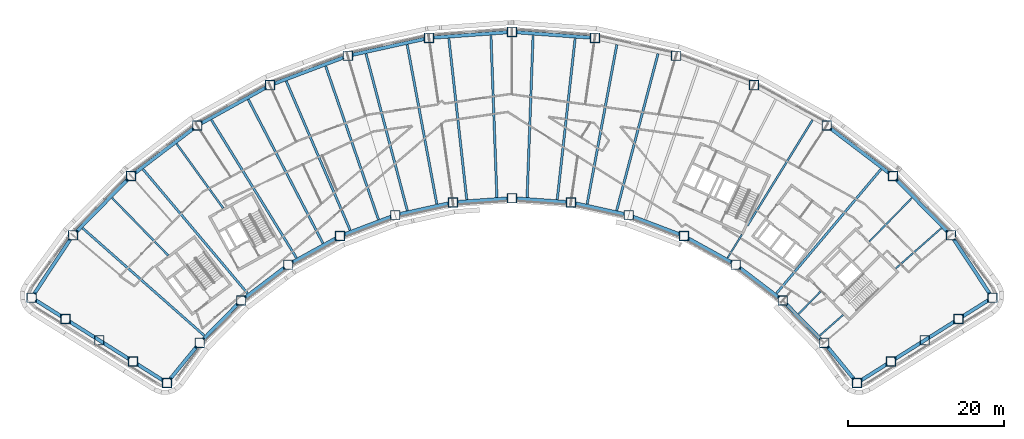
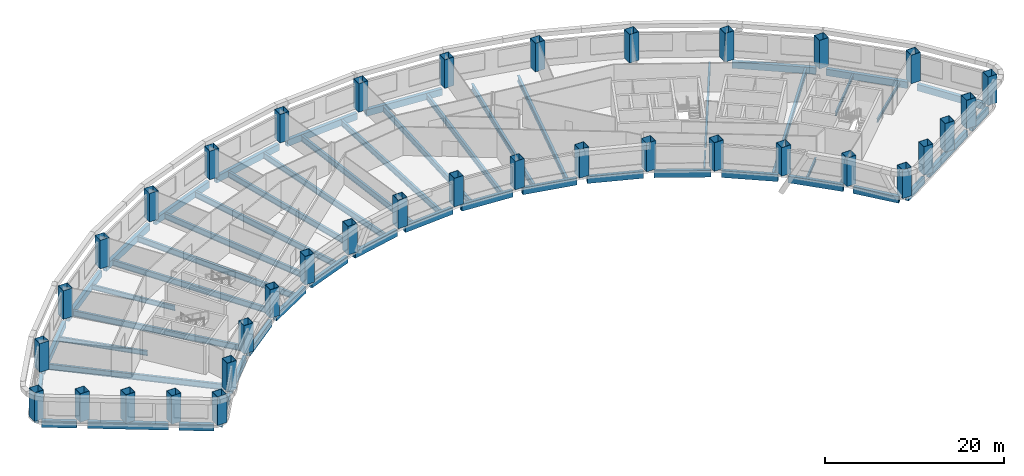
# One storey, part 1 of 10: 54 beams, 36 columns.
"""IFC4 building model written with IfcOpenShell, lengths in metres."""

from ifc_helpers import new_model, si_unit, direction, frame, origin, origin_2d, place, context, subcontext, project, spatial, hollow_rectangle, i_section, extrude, material, material_profile, profile_set, type_object, element, save


model = new_model("IFC4")

# Units and contexts
model_context = context("Model", 3, precision=1e-05, world=origin(), true_north=direction((0.0, 1.0)))
body_context = subcontext(model_context, "Body", "Model", "MODEL_VIEW")
ifc_project = project(units=[si_unit("LENGTHUNIT", "METRE"), si_unit("AREAUNIT", "SQUARE_METRE"), si_unit("VOLUMEUNIT", "CUBIC_METRE"), si_unit("PLANEANGLEUNIT", "RADIAN"), si_unit("MASSUNIT", "GRAM", prefix="KILO")], contexts=[model_context])

# Site, building, storey
site_placement = place(None, origin())
site = spatial("IfcSite", under=ifc_project, at=site_placement, CompositionType="ELEMENT")
building_placement = place(site_placement, origin())
building = spatial("IfcBuilding", under=site, at=building_placement, Name="Tuul Gate Civic Tower", CompositionType="ELEMENT")
storey_placement = place(building_placement, frame((0.0, 0.0, 86.39990234375)))
storey = spatial("IfcBuildingStorey", under=building, at=storey_placement, Name="Level 19", CompositionType="ELEMENT", Elevation=86.39990234375)

# Columns
ifc_material_1 = material(Name="Steel S355", Category="steel")
ifc_material_profile_1 = material_profile(ifc_material_1, hollow_rectangle(XDim=1.199951171875, YDim=1.199951171875, WallThickness=0.0400390625, at=origin_2d()), Name="BOX1200x1200x40")
ifc_profile_set_1 = profile_set([ifc_material_profile_1], Name="Steel S355")
column_type = type_object("IfcColumnType", Name="STR-COLUMN-BOX1200x1200x40", PredefinedType="COLUMN", material=ifc_profile_set_1)
for number, where, z_axis, x_axis, name in (
    (1, (66.47900390625, -15.4208984375, 0.0), (0.0, 0.0, 1.0), (1.0, 0.0, 0.0), "Column"),
    (2, (61.179931640625, -7.408935546875, 0.0), (0.0, 0.0, 1.0), (1.0, 0.0, 0.0), "Column"),
    (3, (53.7060546875, 0.216064453125, 0.0), (0.0, 0.0, 1.0), (1.0, 0.0, 0.0), "Column"),
    (4, (45.2109375, 6.68408203125, 0.0), (0.0, 0.0, 1.0), (1.0, 0.0, 0.0), "Column"),
    (5, (35.8720703125, 11.861083984375, 0.0), (0.0, 0.0, 1.0), (1.0, 0.0, 0.0), "Column"),
    (6, (25.885009765625, 15.636962890625, 0.0), (0.0, 0.0, 1.0), (1.0, 0.0, 0.0), "Column"),
    (7, (15.4580078125, 17.93505859375, 0.0), (0.0, 0.0, 1.0), (1.0, 0.0, 0.0), "Column"),
    (8, (4.80810546875, 18.70703125, 0.0), (0.0, 0.0, 1.0), (1.0, 0.0, 0.0), "Column"),
    (9, (-5.841064453125, 17.93505859375, 0.0), (0.0, 0.0, 1.0), (1.0, 0.0, 0.0), "Column"),
    (10, (-16.26806640625, 15.636962890625, 0.0), (0.0, 0.0, 1.0), (1.0, 0.0, 0.0), "Column"),
    (11, (-26.2548828125, 11.861083984375, 0.0), (0.0, 0.0, 1.0), (1.0, 0.0, 0.0), "Column"),
    (12, (-35.593994140625, 6.68408203125, 0.0), (0.0, 0.0, 1.0), (1.0, 0.0, 0.0), "Column"),
    (13, (-44.089111328125, 0.216064453125, 0.0), (0.0, 0.0, 1.0), (1.0, 0.0, 0.0), "Column"),
    (14, (-51.56396484375, -7.408935546875, 0.0), (0.0, 0.0, 1.0), (1.0, 0.0, 0.0), "Column"),
    (15, (-56.863037109375, -15.4208984375, 0.0), (0.0, 0.0, 1.0), (1.0, 0.0, 0.0), "Column"),
    (16, (-52.52001953125, -18.156005859375, 0.0), (0.0, 0.0, 1.0), (1.0, 0.0, 0.0), "Column"),
    (17, (-48.177978515625, -20.89111328125, 0.0), (0.0, 0.0, 1.0), (1.0, 0.0, 0.0), "Column"),
    (18, (-43.8349609375, -23.625, 0.0), (0.0, 0.0, 1.0), (1.0, 0.0, 0.0), "Column"),
    (19, (-39.492919921875, -26.360107421875, 0.0), (0.0, 0.0, 1.0), (1.0, 0.0, 0.0), "Column"),
    (20, (-35.27294921875, -21.218017578125, 0.0), (0.0, 0.0, 1.0), (1.0, 0.0, 0.0), "Column"),
    (21, (-29.9580078125, -15.7958984375, 0.0), (0.0, 0.0, 1.0), (1.0, 0.0, 0.0), "Column"),
    (22, (-23.91796875, -11.197021484375, 0.0), (0.0, 0.0, 1.0), (1.0, 0.0, 0.0), "Column"),
    (23, (-17.278076171875, -7.51708984375, 0.0), (0.0, 0.0, 1.0), (1.0, 0.0, 0.0), "Column"),
    (24, (-10.177001953125, -4.8310546875, 0.0), (0.0, 0.0, 1.0), (1.0, 0.0, 0.0), "Column"),
    (25, (-2.763916015625, -3.197998046875, 0.0), (0.0, 0.0, 1.0), (1.0, 0.0, 0.0), "Column"),
    (26, (4.80810546875, -2.64892578125, 0.0), (0.0, 0.0, 1.0), (1.0, 0.0, 0.0), "Column"),
    (27, (12.3798828125, -3.197998046875, 0.0), (0.0, 0.0, 1.0), (1.0, 0.0, 0.0), "Column"),
    (28, (19.7939453125, -4.8310546875, 0.0), (0.0, 0.0, 1.0), (1.0, 0.0, 0.0), "Column"),
    (29, (26.89501953125, -7.51708984375, 0.0), (0.0, 0.0, 1.0), (1.0, 0.0, 0.0), "Column"),
    (30, (33.534912109375, -11.197021484375, 0.0), (0.0, 0.0, 1.0), (1.0, 0.0, 0.0), "Column"),
    (31, (39.574951171875, -15.7958984375, 0.0), (0.0, 0.0, 1.0), (1.0, 0.0, 0.0), "Column"),
    (32, (44.888916015625, -21.218017578125, 0.0), (0.0, 0.0, 1.0), (1.0, 0.0, 0.0), "Column"),
    (33, (49.10888671875, -26.360107421875, 0.0), (0.0, 0.0, 1.0), (1.0, 0.0, 0.0), "Column"),
    (34, (53.451904296875, -23.625, 0.0), (0.0, 0.0, 1.0), (1.0, 0.0, 0.0), "Column"),
    (35, (57.7939453125, -20.89111328125, 0.0), (0.0, 0.0, 1.0), (1.0, 0.0, 0.0), "Column"),
    (36, (62.136962890625, -18.156005859375, 0.0), (0.0, 0.0, 1.0), (1.0, 0.0, 0.0), "Column"),
):
    element("IfcColumn", number, at=place(storey_placement, frame(where, z_axis=z_axis, x_axis=x_axis)), inside=storey, type_object=column_type, Name=name, PredefinedType="COLUMN", context=body_context, shape_type="SweptSolid", body=[
        extrude(hollow_rectangle(XDim=1.199951171875, YDim=1.199951171875, WallThickness=0.0400390625, at=origin_2d()), origin(), (0.0, 0.0, 1.0), 3.900146484375),
    ])

# Beams
ifc_material_2 = material(Name="Steel S355", Category="steel")
ifc_material_profile_2 = material_profile(ifc_material_2, i_section(OverallWidth=0.199951171875, OverallDepth=0.5, WebThickness=0.010009765625, FlangeThickness=0.01611328125, at=origin_2d()), Name="PG500x200x10x16")
ifc_profile_set_2 = profile_set([ifc_material_profile_2], Name="Steel S355")
beam_type_1 = type_object("IfcBeamType", Name="STR-FLOOR BEAM-PG500x200x10x16", PredefinedType="BEAM", material=ifc_profile_set_2)
beam_1_placement = place(storey_placement, frame((44.323486328125, -20.28369140625, -0.5498046875), z_axis=(0.749461130255, 0.662048347356, 0.0), x_axis=(-0.662048347356, 0.749461130255, 0.0)))
element("IfcBeam", 37, at=beam_1_placement, inside=storey, type_object=beam_type_1, Name="Floor beam", PredefinedType="BEAM", context=body_context, shape_type="SweptSolid", body=[
    extrude(i_section(OverallWidth=0.199951171875, OverallDepth=0.5, WebThickness=0.010009765625, FlangeThickness=0.01611328125, at=origin_2d()), origin(), (0.0, 0.0, 1.0), 4.0107421875),
])
beam_2_placement = place(storey_placement, frame((54.083251953125, -11.661865234375, -0.5498046875), z_axis=(0.749435188798, 0.662077712803, 0.0), x_axis=(-0.662077712803, 0.749435188798, 0.0)))
element("IfcBeam", 38, at=beam_2_placement, inside=storey, type_object=beam_type_1, Name="Floor beam", PredefinedType="BEAM", context=body_context, shape_type="SweptSolid", body=[
    extrude(i_section(OverallWidth=0.199951171875, OverallDepth=0.5, WebThickness=0.010009765625, FlangeThickness=0.01611328125, at=origin_2d()), origin(), (0.0, 0.0, 1.0), 7.8056640625),
])
beam_3_placement = place(storey_placement, frame((41.606201171875, -17.511474609375, -0.5498046875), z_axis=(0.698677872804, 0.71543639134, 0.0), x_axis=(-0.71543639134, 0.698677872804, 0.0)))
element("IfcBeam", 39, at=beam_3_placement, inside=storey, type_object=beam_type_1, Name="Floor beam", PredefinedType="BEAM", context=body_context, shape_type="SweptSolid", body=[
    extrude(i_section(OverallWidth=0.199951171875, OverallDepth=0.5, WebThickness=0.010009765625, FlangeThickness=0.01611328125, at=origin_2d()), origin(), (0.0, 0.0, 1.0), 4.00634765625),
])
beam_4_placement = place(storey_placement, frame((50.69482421875, -8.205078125, -0.5498046875), z_axis=(0.698665360958, 0.715448609893, 0.0), x_axis=(-0.715448609893, 0.698665360958, 0.0)))
element("IfcBeam", 40, at=beam_4_placement, inside=storey, type_object=beam_type_1, Name="Floor beam", PredefinedType="BEAM", context=body_context, shape_type="SweptSolid", body=[
    extrude(i_section(OverallWidth=0.199951171875, OverallDepth=0.5, WebThickness=0.010009765625, FlangeThickness=0.01611328125, at=origin_2d()), origin(), (0.0, 0.0, 1.0), 7.797119140625),
])
beam_5_placement = place(storey_placement, frame((32.47412109375, -10.3232421875, -0.5498046875), z_axis=(0.524881180779, 0.851175508379, 0.0), x_axis=(-0.851175508379, 0.524881180779, 0.0)))
element("IfcBeam", 41, at=beam_5_placement, inside=storey, type_object=beam_type_1, Name="Floor beam", PredefinedType="BEAM", context=body_context, shape_type="SweptSolid", body=[
    extrude(i_section(OverallWidth=0.199951171875, OverallDepth=0.5, WebThickness=0.010009765625, FlangeThickness=0.01611328125, at=origin_2d()), origin(), (0.0, 0.0, 1.0), 3.527099609375),
])
ifc_material_3 = material(Name="Steel S355", Category="steel")
ifc_material_profile_3 = material_profile(ifc_material_3, i_section(OverallWidth=0.25, OverallDepth=0.64990234375, WebThickness=0.011962890625, FlangeThickness=0.02001953125, at=origin_2d()), Name="PG650x250x12x20")
ifc_profile_set_3 = profile_set([ifc_material_profile_3], Name="Steel S355")
beam_type_2 = type_object("IfcBeamType", Name="STR-FLOOR BEAM-PG650x250x12x20", PredefinedType="BEAM", material=ifc_profile_set_3)
beam_6_placement = place(storey_placement, frame((35.022216796875, -6.19091796875, -0.625), z_axis=(0.52485048584, 0.851194435786, 0.0), x_axis=(-0.851194435786, 0.52485048584, 0.0)))
element("IfcBeam", 42, at=beam_6_placement, inside=storey, type_object=beam_type_2, Name="Floor beam", PredefinedType="BEAM", context=body_context, shape_type="SweptSolid", body=[
    extrude(i_section(OverallWidth=0.25, OverallDepth=0.64990234375, WebThickness=0.011962890625, FlangeThickness=0.02001953125, at=origin_2d()), origin(), (0.0, 0.0, 1.0), 15.967529296875),
])
beam_7_placement = place(storey_placement, frame((-32.2705078125, -3.930419921875, -0.625), z_axis=(-0.586085724812, 0.81024905009, 0.0), x_axis=(-0.81024905009, -0.586085724812, 0.0)))
element("IfcBeam", 43, at=beam_7_placement, inside=storey, type_object=beam_type_2, Name="Floor beam", PredefinedType="BEAM", context=body_context, shape_type="SweptSolid", body=[
    extrude(i_section(OverallWidth=0.25, OverallDepth=0.64990234375, WebThickness=0.011962890625, FlangeThickness=0.02001953125, at=origin_2d()), origin(), (0.0, 0.0, 1.0), 10.211669921875),
])
beam_8_placement = place(storey_placement, frame((-39.3271484375, -9.998291015625, -0.625), z_axis=(-0.698680863585, 0.715433470604, 0.0), x_axis=(-0.715433470604, -0.698680863585, 0.0)))
element("IfcBeam", 44, at=beam_8_placement, inside=storey, type_object=beam_type_2, Name="Floor beam", PredefinedType="BEAM", context=body_context, shape_type="SweptSolid", body=[
    extrude(i_section(OverallWidth=0.25, OverallDepth=0.64990234375, WebThickness=0.011962890625, FlangeThickness=0.02001953125, at=origin_2d()), origin(), (0.0, 0.0, 1.0), 10.30322265625),
])
ifc_material_4 = material(Name="Steel S355", Category="steel")
ifc_material_profile_4 = material_profile(ifc_material_4, i_section(OverallWidth=0.300048828125, OverallDepth=0.800048828125, WebThickness=0.013916015625, FlangeThickness=0.02490234375, at=origin_2d()), Name="PG800x300x14x25")
ifc_profile_set_4 = profile_set([ifc_material_profile_4], Name="Steel S355")
beam_type_3 = type_object("IfcBeamType", Name="STR-FLOOR BEAM-PG800x300x14x25", PredefinedType="BEAM", material=ifc_profile_set_4)
beam_9_placement = place(storey_placement, frame((38.76611328125, -14.86572265625, -0.699951171875), z_axis=(0.644123110179, 0.764921838447, 0.0), x_axis=(-0.764921838447, 0.644123110179, 0.0)))
element("IfcBeam", 45, at=beam_9_placement, inside=storey, type_object=beam_type_3, Name="Floor beam", PredefinedType="BEAM", context=body_context, shape_type="SweptSolid", body=[
    extrude(i_section(OverallWidth=0.300048828125, OverallDepth=0.800048828125, WebThickness=0.013916015625, FlangeThickness=0.02490234375, at=origin_2d()), origin(), (0.0, 0.0, 1.0), 20.824951171875),
])
beam_10_placement = place(storey_placement, frame((18.246826171875, -4.234130859375, -0.699951171875), z_axis=(0.255002430405, 0.966940412067, 0.0), x_axis=(-0.966940412067, 0.255002430405, 0.0)))
element("IfcBeam", 46, at=beam_10_placement, inside=storey, type_object=beam_type_3, Name="Floor beam", PredefinedType="BEAM", context=body_context, shape_type="SweptSolid", body=[
    extrude(i_section(OverallWidth=0.300048828125, OverallDepth=0.800048828125, WebThickness=0.013916015625, FlangeThickness=0.02490234375, at=origin_2d()), origin(), (0.0, 0.0, 1.0), 20.81689453125),
])
beam_11_placement = place(storey_placement, frame((14.45654296875, -3.3994140625, -0.699951171875), z_axis=(0.1831360046, 0.983087587054, 0.0), x_axis=(-0.983087587054, 0.1831360046, 0.0)))
element("IfcBeam", 47, at=beam_11_placement, inside=storey, type_object=beam_type_3, Name="Floor beam", PredefinedType="BEAM", context=body_context, shape_type="SweptSolid", body=[
    extrude(i_section(OverallWidth=0.300048828125, OverallDepth=0.800048828125, WebThickness=0.013916015625, FlangeThickness=0.02490234375, at=origin_2d()), origin(), (0.0, 0.0, 1.0), 20.811279296875),
])
beam_12_placement = place(storey_placement, frame((10.619384765625, -2.819580078125, -0.699951171875), z_axis=(0.1102757583, 0.993901029847, 0.0), x_axis=(-0.993901029847, 0.1102757583, 0.0)))
element("IfcBeam", 48, at=beam_12_placement, inside=storey, type_object=beam_type_3, Name="Floor beam", PredefinedType="BEAM", context=body_context, shape_type="SweptSolid", body=[
    extrude(i_section(OverallWidth=0.300048828125, OverallDepth=0.800048828125, WebThickness=0.013916015625, FlangeThickness=0.02490234375, at=origin_2d()), origin(), (0.0, 0.0, 1.0), 20.815185546875),
])
for number, where, z_axis, x_axis, name in (
    (49, (6.74853515625, -2.5390625, -0.699951171875), (0.036832478792, 0.999321454041, 0.0), (-0.999321454041, 0.036832478792, 0.0), "Floor beam"),
    (50, (2.867919921875, -2.5390625, -0.699951171875), (-0.036832478792, 0.999321454041, 0.0), (-0.999321454041, -0.036832478792, 0.0), "Floor beam"),
):
    element("IfcBeam", number, at=place(storey_placement, frame(where, z_axis=z_axis, x_axis=x_axis)), inside=storey, type_object=beam_type_3, Name=name, PredefinedType="BEAM", context=body_context, shape_type="SweptSolid", body=[
        extrude(i_section(OverallWidth=0.300048828125, OverallDepth=0.800048828125, WebThickness=0.013916015625, FlangeThickness=0.02490234375, at=origin_2d()), origin(), (0.0, 0.0, 1.0), 20.813232421875),
    ])
beam_13_placement = place(storey_placement, frame((-1.0029296875, -2.819580078125, -0.699951171875), z_axis=(-0.110287344613, 0.993899744249, 0.0), x_axis=(-0.993899744249, -0.110287344613, 0.0)))
element("IfcBeam", 51, at=beam_13_placement, inside=storey, type_object=beam_type_3, Name="Floor beam", PredefinedType="BEAM", context=body_context, shape_type="SweptSolid", body=[
    extrude(i_section(OverallWidth=0.300048828125, OverallDepth=0.800048828125, WebThickness=0.013916015625, FlangeThickness=0.02490234375, at=origin_2d()), origin(), (0.0, 0.0, 1.0), 20.815185546875),
])
beam_14_placement = place(storey_placement, frame((-4.84033203125, -3.3994140625, -0.699951171875), z_axis=(-0.183138116697, 0.983087193596, 0.0), x_axis=(-0.983087193596, -0.183138116697, 0.0)))
element("IfcBeam", 52, at=beam_14_placement, inside=storey, type_object=beam_type_3, Name="Floor beam", PredefinedType="BEAM", context=body_context, shape_type="SweptSolid", body=[
    extrude(i_section(OverallWidth=0.300048828125, OverallDepth=0.800048828125, WebThickness=0.013916015625, FlangeThickness=0.02490234375, at=origin_2d()), origin(), (0.0, 0.0, 1.0), 20.81103515625),
])
beam_15_placement = place(storey_placement, frame((-8.63037109375, -4.234375, -0.699951171875), z_axis=(-0.255002430405, 0.966940412067, 0.0), x_axis=(-0.966940412067, -0.255002430405, 0.0)))
element("IfcBeam", 53, at=beam_15_placement, inside=storey, type_object=beam_type_3, Name="Floor beam", PredefinedType="BEAM", context=body_context, shape_type="SweptSolid", body=[
    extrude(i_section(OverallWidth=0.300048828125, OverallDepth=0.800048828125, WebThickness=0.013916015625, FlangeThickness=0.02490234375, at=origin_2d()), origin(), (0.0, 0.0, 1.0), 20.81689453125),
])
beam_16_placement = place(storey_placement, frame((-12.337890625, -5.381103515625, -0.699951171875), z_axis=(-0.325490585261, 0.945545281257, 0.0), x_axis=(-0.945545281257, -0.325490585261, 0.0)))
element("IfcBeam", 54, at=beam_16_placement, inside=storey, type_object=beam_type_3, Name="Floor beam", PredefinedType="BEAM", context=body_context, shape_type="SweptSolid", body=[
    extrude(i_section(OverallWidth=0.300048828125, OverallDepth=0.800048828125, WebThickness=0.013916015625, FlangeThickness=0.02490234375, at=origin_2d()), origin(), (0.0, 0.0, 1.0), 20.80908203125),
])
beam_17_placement = place(storey_placement, frame((-15.968017578125, -6.754150390625, -0.699951171875), z_axis=(-0.39421223202, 0.919019431854, 0.0), x_axis=(-0.919019431854, -0.39421223202, 0.0)))
element("IfcBeam", 55, at=beam_17_placement, inside=storey, type_object=beam_type_3, Name="Floor beam", PredefinedType="BEAM", context=body_context, shape_type="SweptSolid", body=[
    extrude(i_section(OverallWidth=0.300048828125, OverallDepth=0.800048828125, WebThickness=0.013916015625, FlangeThickness=0.02490234375, at=origin_2d()), origin(), (0.0, 0.0, 1.0), 20.820068359375),
])
beam_18_placement = place(storey_placement, frame((-19.462890625, -8.442138671875, -0.699951171875), z_axis=(-0.460776704907, 0.887516100257, 0.0), x_axis=(-0.887516100257, -0.460776704907, 0.0)))
element("IfcBeam", 56, at=beam_18_placement, inside=storey, type_object=beam_type_3, Name="Floor beam", PredefinedType="BEAM", context=body_context, shape_type="SweptSolid", body=[
    extrude(i_section(OverallWidth=0.300048828125, OverallDepth=0.800048828125, WebThickness=0.013916015625, FlangeThickness=0.02490234375, at=origin_2d()), origin(), (0.0, 0.0, 1.0), 20.80810546875),
])
beam_19_placement = place(storey_placement, frame((-22.857666015625, -10.323486328125, -0.699951171875), z_axis=(-0.524858688135, 0.851189378158, 0.0), x_axis=(-0.851189378158, -0.524858688135, 0.0)))
element("IfcBeam", 57, at=beam_19_placement, inside=storey, type_object=beam_type_3, Name="Floor beam", PredefinedType="BEAM", context=body_context, shape_type="SweptSolid", body=[
    extrude(i_section(OverallWidth=0.300048828125, OverallDepth=0.800048828125, WebThickness=0.013916015625, FlangeThickness=0.02490234375, at=origin_2d()), origin(), (0.0, 0.0, 1.0), 20.822265625),
])
beam_20_placement = place(storey_placement, frame((-29.1494140625, -14.8662109375, -0.699951171875), z_axis=(-0.644129969572, 0.764916062257, 0.0), x_axis=(-0.764916062257, -0.644129969572, 0.0)))
element("IfcBeam", 58, at=beam_20_placement, inside=storey, type_object=beam_type_3, Name="Floor beam", PredefinedType="BEAM", context=body_context, shape_type="SweptSolid", body=[
    extrude(i_section(OverallWidth=0.300048828125, OverallDepth=0.800048828125, WebThickness=0.013916015625, FlangeThickness=0.02490234375, at=origin_2d()), origin(), (0.0, 0.0, 1.0), 20.8251953125),
])
beam_21_placement = place(storey_placement, frame((-34.707275390625, -20.28369140625, -0.699951171875), z_axis=(-0.749442289346, 0.662069675291, 0.0), x_axis=(-0.662069675291, -0.749442289346, 0.0)))
element("IfcBeam", 59, at=beam_21_placement, inside=storey, type_object=beam_type_3, Name="Floor beam", PredefinedType="BEAM", context=body_context, shape_type="SweptSolid", body=[
    extrude(i_section(OverallWidth=0.300048828125, OverallDepth=0.800048828125, WebThickness=0.013916015625, FlangeThickness=0.02490234375, at=origin_2d()), origin(), (0.0, 0.0, 1.0), 20.828369140625),
])
ifc_material_5 = material(Name="Steel S355", Category="steel")
ifc_material_profile_5 = material_profile(ifc_material_5, hollow_rectangle(XDim=0.449951171875, YDim=0.89990234375, WallThickness=0.02490234375, at=origin_2d()), Name="BOX900x450x25")
ifc_profile_set_5 = profile_set([ifc_material_profile_5], Name="Steel S355")
beam_type_4 = type_object("IfcBeamType", Name="STR-SPANDREL BEAM-BOX900x450x25", PredefinedType="BEAM", material=ifc_profile_set_5)
beam_22_placement = place(storey_placement, frame((66.14794921875, -14.920654296875, -0.75), z_axis=(-0.551633408665, 0.834086675619, 0.0), x_axis=(-0.834086675619, -0.551633408665, 0.0)))
element("IfcBeam", 60, at=beam_22_placement, inside=storey, type_object=beam_type_4, Name="Spandrel beam", PredefinedType="BEAM", context=body_context, shape_type="SweptSolid", body=[
    extrude(hollow_rectangle(XDim=0.449951171875, YDim=0.89990234375, WallThickness=0.02490234375, at=origin_2d()), origin(), (0.0, 0.0, 1.0), 8.40576171875),
])
beam_23_placement = place(storey_placement, frame((60.760009765625, -6.98046875, -0.75), z_axis=(-0.700000063817, 0.714142780301, 0.0), x_axis=(-0.714142780301, -0.700000063817, 0.0)))
element("IfcBeam", 61, at=beam_23_placement, inside=storey, type_object=beam_type_4, Name="Spandrel beam", PredefinedType="BEAM", context=body_context, shape_type="SweptSolid", body=[
    extrude(hollow_rectangle(XDim=0.449951171875, YDim=0.89990234375, WallThickness=0.02490234375, at=origin_2d()), origin(), (0.0, 0.0, 1.0), 9.477294921875),
])
beam_24_placement = place(storey_placement, frame((53.228515625, 0.57958984375, -0.75), z_axis=(-0.795626241327, 0.605787821033, 0.0), x_axis=(-0.605787821033, -0.795626241327, 0.0)))
element("IfcBeam", 62, at=beam_24_placement, inside=storey, type_object=beam_type_4, Name="Spandrel beam", PredefinedType="BEAM", context=body_context, shape_type="SweptSolid", body=[
    extrude(hollow_rectangle(XDim=0.449951171875, YDim=0.89990234375, WallThickness=0.02490234375, at=origin_2d()), origin(), (0.0, 0.0, 1.0), 9.476806640625),
])
beam_25_placement = place(storey_placement, frame((14.859619140625, 17.978271484375, -0.75), z_axis=(-0.997382561925, 0.07230508397, 0.0), x_axis=(-0.07230508397, -0.997382561925, 0.0)))
element("IfcBeam", 63, at=beam_25_placement, inside=storey, type_object=beam_type_4, Name="Spandrel beam", PredefinedType="BEAM", context=body_context, shape_type="SweptSolid", body=[
    extrude(hollow_rectangle(XDim=0.449951171875, YDim=0.89990234375, WallThickness=0.02490234375, at=origin_2d()), origin(), (0.0, 0.0, 1.0), 9.47802734375),
])
beam_26_placement = place(storey_placement, frame((4.20947265625, 18.66357421875, -0.75), z_axis=(-0.99738202317, -0.072312515214, 0.0), x_axis=(0.072312515214, -0.99738202317, 0.0)))
element("IfcBeam", 64, at=beam_26_placement, inside=storey, type_object=beam_type_4, Name="Spandrel beam", PredefinedType="BEAM", context=body_context, shape_type="SweptSolid", body=[
    extrude(hollow_rectangle(XDim=0.449951171875, YDim=0.89990234375, WallThickness=0.02490234375, at=origin_2d()), origin(), (0.0, 0.0, 1.0), 9.47705078125),
])
beam_27_placement = place(storey_placement, frame((-6.427001953125, 17.805908203125, -0.75), z_axis=(-0.97656320303, -0.215230830708, 0.0), x_axis=(0.215230830708, -0.97656320303, 0.0)))
element("IfcBeam", 65, at=beam_27_placement, inside=storey, type_object=beam_type_4, Name="Spandrel beam", PredefinedType="BEAM", context=body_context, shape_type="SweptSolid", body=[
    extrude(hollow_rectangle(XDim=0.449951171875, YDim=0.89990234375, WallThickness=0.02490234375, at=origin_2d()), origin(), (0.0, 0.0, 1.0), 9.477294921875),
])
beam_28_placement = place(storey_placement, frame((-16.829345703125, 15.4248046875, -0.75), z_axis=(-0.935376104649, -0.353654552993, 0.0), x_axis=(0.353654552993, -0.935376104649, 0.0)))
element("IfcBeam", 66, at=beam_28_placement, inside=storey, type_object=beam_type_4, Name="Spandrel beam", PredefinedType="BEAM", context=body_context, shape_type="SweptSolid", body=[
    extrude(hollow_rectangle(XDim=0.449951171875, YDim=0.89990234375, WallThickness=0.02490234375, at=origin_2d()), origin(), (0.0, 0.0, 1.0), 9.47705078125),
])
beam_29_placement = place(storey_placement, frame((-26.77978515625, 11.570068359375, -0.75), z_axis=(-0.874608888761, -0.484829136604, 0.0), x_axis=(0.484829136604, -0.874608888761, 0.0)))
element("IfcBeam", 67, at=beam_29_placement, inside=storey, type_object=beam_type_4, Name="Spandrel beam", PredefinedType="BEAM", context=body_context, shape_type="SweptSolid", body=[
    extrude(hollow_rectangle(XDim=0.449951171875, YDim=0.89990234375, WallThickness=0.02490234375, at=origin_2d()), origin(), (0.0, 0.0, 1.0), 9.47802734375),
])
beam_30_placement = place(storey_placement, frame((-36.0712890625, 6.320556640625, -0.75), z_axis=(-0.795635695058, -0.605775404543, 0.0), x_axis=(0.605775404543, -0.795635695058, 0.0)))
element("IfcBeam", 68, at=beam_30_placement, inside=storey, type_object=beam_type_4, Name="Spandrel beam", PredefinedType="BEAM", context=body_context, shape_type="SweptSolid", body=[
    extrude(hollow_rectangle(XDim=0.449951171875, YDim=0.89990234375, WallThickness=0.02490234375, at=origin_2d()), origin(), (0.0, 0.0, 1.0), 9.47705078125),
])
beam_31_placement = place(storey_placement, frame((-44.509033203125, -0.21240234375, -0.75), z_axis=(-0.700052610293, -0.714091270653, 0.0), x_axis=(0.714091270653, -0.700052610293, 0.0)))
element("IfcBeam", 69, at=beam_31_placement, inside=storey, type_object=beam_type_4, Name="Spandrel beam", PredefinedType="BEAM", context=body_context, shape_type="SweptSolid", body=[
    extrude(hollow_rectangle(XDim=0.449951171875, YDim=0.89990234375, WallThickness=0.02490234375, at=origin_2d()), origin(), (0.0, 0.0, 1.0), 9.477783203125),
])
beam_32_placement = place(storey_placement, frame((-51.89501953125, -7.909423828125, -0.75), z_axis=(-0.551633408665, -0.834086675619, 0.0), x_axis=(0.834086675619, -0.551633408665, 0.0)))
element("IfcBeam", 70, at=beam_32_placement, inside=storey, type_object=beam_type_4, Name="Spandrel beam", PredefinedType="BEAM", context=body_context, shape_type="SweptSolid", body=[
    extrude(hollow_rectangle(XDim=0.449951171875, YDim=0.89990234375, WallThickness=0.02490234375, at=origin_2d()), origin(), (0.0, 0.0, 1.0), 8.40576171875),
])
beam_33_placement = place(storey_placement, frame((-56.355224609375, -15.74072265625, -0.75), z_axis=(0.846183069254, -0.532892309297, 0.0), x_axis=(0.532892309297, 0.846183069254, 0.0)))
element("IfcBeam", 71, at=beam_33_placement, inside=storey, type_object=beam_type_4, Name="Spandrel beam", PredefinedType="BEAM", context=body_context, shape_type="SweptSolid", body=[
    extrude(hollow_rectangle(XDim=0.449951171875, YDim=0.89990234375, WallThickness=0.02490234375, at=origin_2d()), origin(), (0.0, 0.0, 1.0), 3.93212890625),
])
beam_34_placement = place(storey_placement, frame((-52.01220703125, -18.475830078125, -0.75), z_axis=(0.846210797287, -0.532848277237, 0.0), x_axis=(0.532848277237, 0.846210797287, 0.0)))
element("IfcBeam", 72, at=beam_34_placement, inside=storey, type_object=beam_type_4, Name="Spandrel beam", PredefinedType="BEAM", context=body_context, shape_type="SweptSolid", body=[
    extrude(hollow_rectangle(XDim=0.449951171875, YDim=0.89990234375, WallThickness=0.02490234375, at=origin_2d()), origin(), (0.0, 0.0, 1.0), 9.063232421875),
])
beam_35_placement = place(storey_placement, frame((-43.327392578125, -23.94482421875, -0.75), z_axis=(0.846130163467, -0.532976309484, 0.0), x_axis=(0.532976309484, 0.846130163467, 0.0)))
element("IfcBeam", 73, at=beam_35_placement, inside=storey, type_object=beam_type_4, Name="Spandrel beam", PredefinedType="BEAM", context=body_context, shape_type="SweptSolid", body=[
    extrude(hollow_rectangle(XDim=0.449951171875, YDim=0.89990234375, WallThickness=0.02490234375, at=origin_2d()), origin(), (0.0, 0.0, 1.0), 3.931640625),
])
beam_36_placement = place(storey_placement, frame((-39.1123046875, -25.896240234375, -0.75), z_axis=(0.634405130356, 0.773000731292, 0.0), x_axis=(-0.773000731292, 0.634405130356, 0.0)))
element("IfcBeam", 74, at=beam_36_placement, inside=storey, type_object=beam_type_4, Name="Spandrel beam", PredefinedType="BEAM", context=body_context, shape_type="SweptSolid", body=[
    extrude(hollow_rectangle(XDim=0.449951171875, YDim=0.89990234375, WallThickness=0.02490234375, at=origin_2d()), origin(), (0.0, 0.0, 1.0), 5.451904296875),
])
beam_37_placement = place(storey_placement, frame((-34.85302734375, -20.78955078125, -0.75), z_axis=(0.70002559028, 0.714117758464, 0.0), x_axis=(-0.714117758464, 0.70002559028, 0.0)))
element("IfcBeam", 75, at=beam_37_placement, inside=storey, type_object=beam_type_4, Name="Spandrel beam", PredefinedType="BEAM", context=body_context, shape_type="SweptSolid", body=[
    extrude(hollow_rectangle(XDim=0.449951171875, YDim=0.89990234375, WallThickness=0.02490234375, at=origin_2d()), origin(), (0.0, 0.0, 1.0), 6.392822265625),
])
for number, where, z_axis, x_axis, name in (
    (76, (-29.480712890625, -15.4326171875, -0.75), (0.79562457822, 0.605790005308, 0.0), (-0.605790005308, 0.79562457822, 0.0), "Spandrel beam"),
    (77, (-23.393310546875, -10.90625, -0.75), (0.87465408875, 0.484747588992, 0.0), (-0.484747588992, 0.87465408875, 0.0), "Spandrel beam"),
    (78, (-16.716796875, -7.3046875, -0.75), (0.9353207628, 0.353800891286, 0.0), (-0.353800891286, 0.9353207628, 0.0), "Spandrel beam"),
):
    element("IfcBeam", number, at=place(storey_placement, frame(where, z_axis=z_axis, x_axis=x_axis)), inside=storey, type_object=beam_type_4, Name=name, PredefinedType="BEAM", context=body_context, shape_type="SweptSolid", body=[
        extrude(hollow_rectangle(XDim=0.449951171875, YDim=0.89990234375, WallThickness=0.02490234375, at=origin_2d()), origin(), (0.0, 0.0, 1.0), 6.391845703125),
    ])
beam_38_placement = place(storey_placement, frame((-9.591064453125, -4.701904296875, -0.75), z_axis=(0.976588960757, 0.215113927321, 0.0), x_axis=(-0.215113927321, 0.976588960757, 0.0)))
element("IfcBeam", 79, at=beam_38_placement, inside=storey, type_object=beam_type_4, Name="Spandrel beam", PredefinedType="BEAM", context=body_context, shape_type="SweptSolid", body=[
    extrude(hollow_rectangle(XDim=0.449951171875, YDim=0.89990234375, WallThickness=0.02490234375, at=origin_2d()), origin(), (0.0, 0.0, 1.0), 6.390869140625),
])
for number, where, z_axis, x_axis, name in (
    (80, (-2.16552734375, -3.154541015625, -0.75), (0.997382520948, 0.072305649209, 0.0), (-0.072305649209, 0.997382520948, 0.0), "Spandrel beam"),
    (81, (5.406494140625, -2.6923828125, -0.75), (0.997382520948, -0.072305649209, 0.0), (0.072305649209, 0.997382520948, 0.0), "Spandrel beam"),
):
    element("IfcBeam", number, at=place(storey_placement, frame(where, z_axis=z_axis, x_axis=x_axis)), inside=storey, type_object=beam_type_4, Name=name, PredefinedType="BEAM", context=body_context, shape_type="SweptSolid", body=[
        extrude(hollow_rectangle(XDim=0.449951171875, YDim=0.89990234375, WallThickness=0.02490234375, at=origin_2d()), origin(), (0.0, 0.0, 1.0), 6.391845703125),
    ])
beam_39_placement = place(storey_placement, frame((12.966064453125, -3.3271484375, -0.75), z_axis=(0.976594263107, -0.215089853935, 0.0), x_axis=(0.215089853935, 0.976594263107, 0.0)))
element("IfcBeam", 82, at=beam_39_placement, inside=storey, type_object=beam_type_4, Name="Spandrel beam", PredefinedType="BEAM", context=body_context, shape_type="SweptSolid", body=[
    extrude(hollow_rectangle(XDim=0.449951171875, YDim=0.89990234375, WallThickness=0.02490234375, at=origin_2d()), origin(), (0.0, 0.0, 1.0), 6.3916015625),
])
for number, where, z_axis, x_axis, name in (
    (83, (20.355224609375, -5.043212890625, -0.75), (0.9353207628, -0.353800891286, 0.0), (0.353800891286, 0.9353207628, 0.0), "Spandrel beam"),
    (84, (27.419677734375, -7.807861328125, -0.75), (0.87465408875, -0.484747588992, 0.0), (0.484747588992, 0.87465408875, 0.0), "Spandrel beam"),
):
    element("IfcBeam", number, at=place(storey_placement, frame(where, z_axis=z_axis, x_axis=x_axis)), inside=storey, type_object=beam_type_4, Name=name, PredefinedType="BEAM", context=body_context, shape_type="SweptSolid", body=[
        extrude(hollow_rectangle(XDim=0.449951171875, YDim=0.89990234375, WallThickness=0.02490234375, at=origin_2d()), origin(), (0.0, 0.0, 1.0), 6.391845703125),
    ])
beam_40_placement = place(storey_placement, frame((34.012451171875, -11.560546875, -0.75), z_axis=(0.795610560321, -0.605808415512, 0.0), x_axis=(0.605808415512, 0.795610560321, 0.0)))
element("IfcBeam", 85, at=beam_40_placement, inside=storey, type_object=beam_type_4, Name="Spandrel beam", PredefinedType="BEAM", context=body_context, shape_type="SweptSolid", body=[
    extrude(hollow_rectangle(XDim=0.449951171875, YDim=0.89990234375, WallThickness=0.02490234375, at=origin_2d()), origin(), (0.0, 0.0, 1.0), 6.3916015625),
])
beam_41_placement = place(storey_placement, frame((39.994873046875, -16.224609375, -0.75), z_axis=(0.699966768849, -0.714175414381, 0.0), x_axis=(0.714175414381, 0.699966768849, 0.0)))
element("IfcBeam", 86, at=beam_41_placement, inside=storey, type_object=beam_type_4, Name="Spandrel beam", PredefinedType="BEAM", context=body_context, shape_type="SweptSolid", body=[
    extrude(hollow_rectangle(XDim=0.449951171875, YDim=0.89990234375, WallThickness=0.02490234375, at=origin_2d()), origin(), (0.0, 0.0, 1.0), 6.391845703125),
])
beam_42_placement = place(storey_placement, frame((45.26953125, -21.681884765625, -0.75), z_axis=(0.634405130356, -0.773000731292, 0.0), x_axis=(0.773000731292, 0.634405130356, 0.0)))
element("IfcBeam", 87, at=beam_42_placement, inside=storey, type_object=beam_type_4, Name="Spandrel beam", PredefinedType="BEAM", context=body_context, shape_type="SweptSolid", body=[
    extrude(hollow_rectangle(XDim=0.449951171875, YDim=0.89990234375, WallThickness=0.02490234375, at=origin_2d()), origin(), (0.0, 0.0, 1.0), 5.451904296875),
])
beam_43_placement = place(storey_placement, frame((49.61669921875, -26.040283203125, -0.75), z_axis=(0.846200698958, 0.532864313951, 0.0), x_axis=(-0.532864313951, 0.846200698958, 0.0)))
element("IfcBeam", 88, at=beam_43_placement, inside=storey, type_object=beam_type_4, Name="Spandrel beam", PredefinedType="BEAM", context=body_context, shape_type="SweptSolid", body=[
    extrude(hollow_rectangle(XDim=0.449951171875, YDim=0.89990234375, WallThickness=0.02490234375, at=origin_2d()), origin(), (0.0, 0.0, 1.0), 3.932373046875),
])
beam_44_placement = place(storey_placement, frame((53.959716796875, -23.30517578125, -0.75), z_axis=(0.846218445282, 0.532836131343, 0.0), x_axis=(-0.532836131343, 0.846218445282, 0.0)))
element("IfcBeam", 89, at=beam_44_placement, inside=storey, type_object=beam_type_4, Name="Spandrel beam", PredefinedType="BEAM", context=body_context, shape_type="SweptSolid", body=[
    extrude(hollow_rectangle(XDim=0.449951171875, YDim=0.89990234375, WallThickness=0.02490234375, at=origin_2d()), origin(), (0.0, 0.0, 1.0), 9.0634765625),
])
beam_45_placement = place(storey_placement, frame((62.644775390625, -17.836181640625, -0.75), z_axis=(0.846130163467, 0.532976309484, 0.0), x_axis=(-0.532976309484, 0.846130163467, 0.0)))
element("IfcBeam", 90, at=beam_45_placement, inside=storey, type_object=beam_type_4, Name="Spandrel beam", PredefinedType="BEAM", context=body_context, shape_type="SweptSolid", body=[
    extrude(hollow_rectangle(XDim=0.449951171875, YDim=0.89990234375, WallThickness=0.02490234375, at=origin_2d()), origin(), (0.0, 0.0, 1.0), 3.931640625),
])

save(model, "model.ifc")
